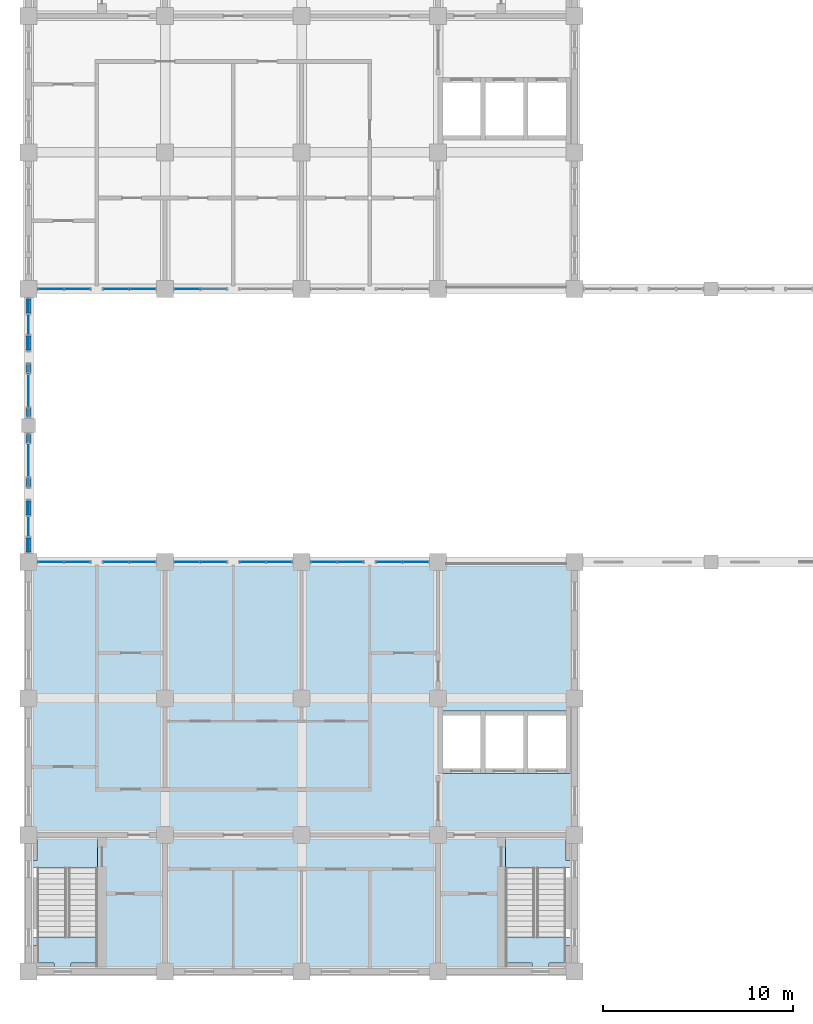
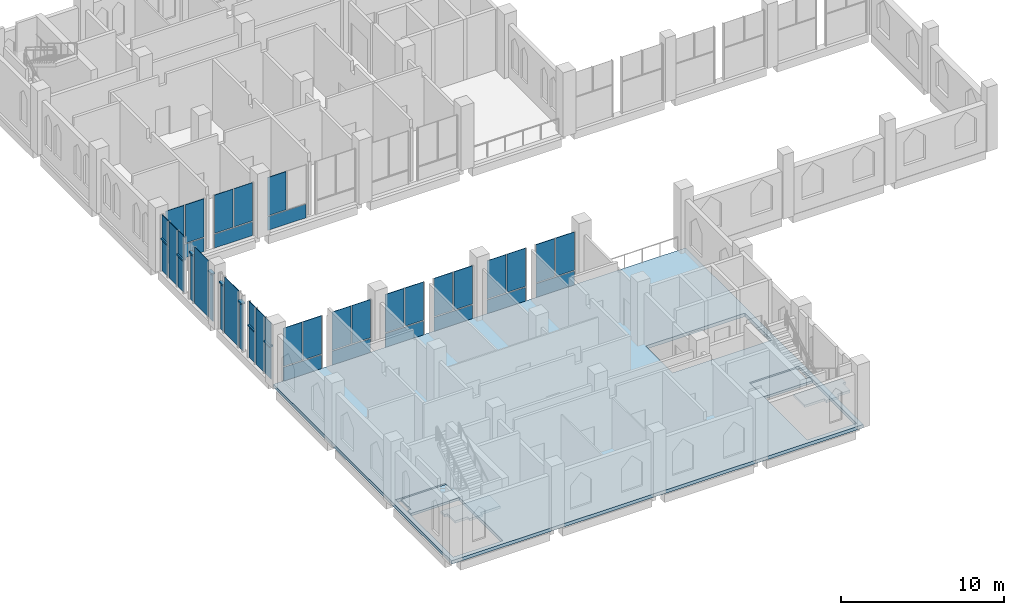
# One storey, part 17 of 30: 42 plates, 8 members, 5 slabs, 15 elements without a shape of their own.
"""IFC4 building model written with IfcOpenShell, lengths in metres."""

from ifc_helpers import new_model, si_unit, direction, frame, origin, origin_2d, place, context, subcontext, project, spatial, polyline, rectangle, hollow_rectangle, outline, extrude, material, layer, layer_set, material_profile, profile_set, type_object, element, aggregate, save


model = new_model("IFC4")

# Units and contexts
model_context = context("Model", 3, precision=1e-05, world=origin(), true_north=direction((0.0, 1.0)))
body_context = subcontext(model_context, "Body", "Model", "MODEL_VIEW")
ifc_project = project(units=[si_unit("LENGTHUNIT", "METRE"), si_unit("AREAUNIT", "SQUARE_METRE"), si_unit("VOLUMEUNIT", "CUBIC_METRE"), si_unit("PLANEANGLEUNIT", "RADIAN"), si_unit("MASSUNIT", "GRAM", prefix="KILO")], contexts=[model_context])

# Site, building, storey
site_placement = place(None, origin())
site = spatial("IfcSite", under=ifc_project, at=site_placement, CompositionType="ELEMENT")
building_placement = place(site_placement, origin())
building = spatial("IfcBuilding", under=site, at=building_placement, Name="Silangan Lancet Faculty of Sciences", CompositionType="ELEMENT")
storey_placement = place(building_placement, frame((0.0, 0.0, 31.199951171875)))
storey = spatial("IfcBuildingStorey", under=building, at=storey_placement, Name="L06", CompositionType="ELEMENT", Elevation=31.199951171875)

# Curtain wall, members
ifc_material_1 = material(Name="Aluminium framed curtain wall with insulated glass", Category="aluminium")
curtain_wall_type_1 = type_object("IfcCurtainWallType", Name="CW3 West stepped lancet window", PredefinedType="NOTDEFINED", material=ifc_material_1)
curtain_wall_1_placement = place(storey_placement, origin())
curtain_wall_1 = element("IfcCurtainWall", 1, at=curtain_wall_1_placement, inside=storey, type_object=curtain_wall_type_1, Name="CW3 West window L06 bay 1", PredefinedType="NOTDEFINED")
ifc_material_2 = material(Name="Aluminium 6063-T6 extrusion", Category="aluminium")
ifc_material_profile = material_profile(ifc_material_2, hollow_rectangle(XDim=0.25, YDim=0.10009765625, WallThickness=0.0048828125, at=origin_2d()), Name="AL BOX 250x100x5")
ifc_profile_set = profile_set([ifc_material_profile], Name="Aluminium 6063-T6 extrusion")
member_type = type_object("IfcMemberType", Name="CT3 Transom 250x100", PredefinedType="USERDEFINED", material=ifc_profile_set)
member_1_placement = place(storey_placement, frame((0.0, 22.125, 2.449951171875), z_axis=(0.0, 1.0, 0.0), x_axis=(-1.0, 0.0, 0.0)))
member_1 = element("IfcMember", 2, at=member_1_placement, type_object=member_type, Name="CW3 West window L06 bay 1 transom 1", ObjectType="TRANSOM", PredefinedType="USERDEFINED", context=body_context, shape_type="SweptSolid", body=[
    extrude(hollow_rectangle(XDim=0.25, YDim=0.10009765625, WallThickness=0.0048828125, at=origin_2d()), origin(), (0.0, 0.0, 1.0), 0.75),
])
member_2_placement = place(storey_placement, frame((0.0, 24.074951171875, 2.449951171875), z_axis=(0.0, 1.0, 0.0), x_axis=(-1.0, 0.0, 0.0)))
member_2 = element("IfcMember", 3, at=member_2_placement, type_object=member_type, Name="CW3 West window L06 bay 1 transom 2", ObjectType="TRANSOM", PredefinedType="USERDEFINED", context=body_context, shape_type="SweptSolid", body=[
    extrude(hollow_rectangle(XDim=0.25, YDim=0.10009765625, WallThickness=0.0048828125, at=origin_2d()), origin(), (0.0, 0.0, 1.0), 0.75),
])

ifc_material_3 = material(Name="Aluminium framed curtain wall with insulated glass", Category="aluminium")
curtain_wall_type_2 = type_object("IfcCurtainWallType", Name="CW6 West window middle bays", PredefinedType="NOTDEFINED", material=ifc_material_3)
curtain_wall_2_placement = place(storey_placement, origin())
curtain_wall_2 = element("IfcCurtainWall", 4, at=curtain_wall_2_placement, inside=storey, type_object=curtain_wall_type_2, Name="CW6 West window L06 bay 2", PredefinedType="NOTDEFINED")
member_3_placement = place(storey_placement, frame((0.0, 25.574951171875, 3.550048828125), z_axis=(0.0, 1.0, 0.0), x_axis=(-1.0, 0.0, 0.0)))
member_3 = element("IfcMember", 5, at=member_3_placement, type_object=member_type, Name="CW6 West window L06 bay 2 transom 1", ObjectType="TRANSOM", PredefinedType="USERDEFINED", context=body_context, shape_type="SweptSolid", body=[
    extrude(hollow_rectangle(XDim=0.25, YDim=0.10009765625, WallThickness=0.0048828125, at=origin_2d()), origin(), (0.0, 0.0, 1.0), 0.449951171875),
])
member_4_placement = place(storey_placement, frame((0.0, 27.89990234375, 3.550048828125), z_axis=(0.0, 1.0, 0.0), x_axis=(-1.0, 0.0, 0.0)))
member_4 = element("IfcMember", 6, at=member_4_placement, type_object=member_type, Name="CW6 West window L06 bay 2 transom 2", ObjectType="TRANSOM", PredefinedType="USERDEFINED", context=body_context, shape_type="SweptSolid", body=[
    extrude(hollow_rectangle(XDim=0.25, YDim=0.10009765625, WallThickness=0.0048828125, at=origin_2d()), origin(), (0.0, 0.0, 1.0), 0.4501953125),
])

curtain_wall_3_placement = place(storey_placement, origin())
curtain_wall_3 = element("IfcCurtainWall", 7, at=curtain_wall_3_placement, inside=storey, type_object=curtain_wall_type_2, Name="CW6 West window L06 bay 3", PredefinedType="NOTDEFINED")
member_5_placement = place(storey_placement, frame((0.0, 29.25, 3.550048828125), z_axis=(0.0, 1.0, 0.0), x_axis=(-1.0, 0.0, 0.0)))
member_5 = element("IfcMember", 8, at=member_5_placement, type_object=member_type, Name="CW6 West window L06 bay 3 transom 1", ObjectType="TRANSOM", PredefinedType="USERDEFINED", context=body_context, shape_type="SweptSolid", body=[
    extrude(hollow_rectangle(XDim=0.25, YDim=0.10009765625, WallThickness=0.0048828125, at=origin_2d()), origin(), (0.0, 0.0, 1.0), 0.449951171875),
])
member_6_placement = place(storey_placement, frame((0.0, 31.574951171875, 3.550048828125), z_axis=(0.0, 1.0, 0.0), x_axis=(-1.0, 0.0, 0.0)))
member_6 = element("IfcMember", 9, at=member_6_placement, type_object=member_type, Name="CW6 West window L06 bay 3 transom 2", ObjectType="TRANSOM", PredefinedType="USERDEFINED", context=body_context, shape_type="SweptSolid", body=[
    extrude(hollow_rectangle(XDim=0.25, YDim=0.10009765625, WallThickness=0.0048828125, at=origin_2d()), origin(), (0.0, 0.0, 1.0), 0.449951171875),
])

curtain_wall_4_placement = place(storey_placement, origin())
curtain_wall_4 = element("IfcCurtainWall", 10, at=curtain_wall_4_placement, inside=storey, type_object=curtain_wall_type_1, Name="CW3 West window L06 bay 4", PredefinedType="NOTDEFINED")
member_7_placement = place(storey_placement, frame((0.0, 32.77490234375, 2.449951171875), z_axis=(0.0, 1.0, 0.0), x_axis=(-1.0, 0.0, 0.0)))
member_7 = element("IfcMember", 11, at=member_7_placement, type_object=member_type, Name="CW3 West window L06 bay 4 transom 1", ObjectType="TRANSOM", PredefinedType="USERDEFINED", context=body_context, shape_type="SweptSolid", body=[
    extrude(hollow_rectangle(XDim=0.25, YDim=0.10009765625, WallThickness=0.0048828125, at=origin_2d()), origin(), (0.0, 0.0, 1.0), 0.75),
])
member_8_placement = place(storey_placement, frame((0.0, 34.72509765625, 2.449951171875), z_axis=(0.0, 1.0, 0.0), x_axis=(-1.0, 0.0, 0.0)))
member_8 = element("IfcMember", 12, at=member_8_placement, type_object=member_type, Name="CW3 West window L06 bay 4 transom 2", ObjectType="TRANSOM", PredefinedType="USERDEFINED", context=body_context, shape_type="SweptSolid", body=[
    extrude(hollow_rectangle(XDim=0.25, YDim=0.10009765625, WallThickness=0.0048828125, at=origin_2d()), origin(), (0.0, 0.0, 1.0), 0.75),
])

# Plate
ifc_material_4 = material(Name="Insulated glass unit 8+16+8 low-emissivity", Category="glass")
ifc_layer_1 = layer(ifc_material_4, 0.031982421875)
ifc_layer_set_1 = layer_set([ifc_layer_1], Name="Insulated glass unit 8+16+8 low-emissivity")
plate_type_1 = type_object("IfcPlateType", Name="CP1 Panel vision glass 32", PredefinedType="CURTAIN_PANEL", material=ifc_layer_set_1)
plate_1_placement = place(storey_placement, frame((0.0, 22.5, 2.5), z_axis=(0.0, 0.0, 1.0), x_axis=(0.0, 1.0, 0.0)))
plate_1 = element("IfcPlate", 13, at=plate_1_placement, type_object=plate_type_1, Name="CW3 West window L06 bay 1 panel 3", PredefinedType="CURTAIN_PANEL", context=body_context, shape_type="SweptSolid", body=[
    extrude(rectangle(XDim=0.75, YDim=0.031982421875, at=origin_2d()), origin(), (0.0, 0.0, 1.0), 1.699951171875),
])

plate_2_placement = place(storey_placement, frame((0.0, 24.449951171875, 2.5), z_axis=(0.0, 0.0, 1.0), x_axis=(0.0, 1.0, 0.0)))
plate_2 = element("IfcPlate", 14, at=plate_2_placement, type_object=plate_type_1, Name="CW3 West window L06 bay 1 panel 4", PredefinedType="CURTAIN_PANEL", context=body_context, shape_type="SweptSolid", body=[
    extrude(rectangle(XDim=0.75, YDim=0.031982421875, at=origin_2d()), origin(), (0.0, 0.0, 1.0), 1.699951171875),
])

plate_3_placement = place(storey_placement, frame((0.0, 33.14990234375, 2.5), z_axis=(0.0, 0.0, 1.0), x_axis=(0.0, 1.0, 0.0)))
plate_3 = element("IfcPlate", 15, at=plate_3_placement, type_object=plate_type_1, Name="CW3 West window L06 bay 4 panel 3", PredefinedType="CURTAIN_PANEL", context=body_context, shape_type="SweptSolid", body=[
    extrude(rectangle(XDim=0.75, YDim=0.031982421875, at=origin_2d()), origin(), (0.0, 0.0, 1.0), 1.699951171875),
])

plate_4_placement = place(storey_placement, frame((0.0, 35.10009765625, 2.5), z_axis=(0.0, 0.0, 1.0), x_axis=(0.0, 1.0, 0.0)))
plate_4 = element("IfcPlate", 16, at=plate_4_placement, type_object=plate_type_1, Name="CW3 West window L06 bay 4 panel 4", PredefinedType="CURTAIN_PANEL", context=body_context, shape_type="SweptSolid", body=[
    extrude(rectangle(XDim=0.75, YDim=0.031982421875, at=origin_2d()), origin(), (0.0, 0.0, 1.0), 1.699951171875),
])

ifc_material_5 = material(Name="Laminated insulated glass unit 10.76+14+8", Category="glass")
ifc_layer_2 = layer(ifc_material_5, 0.035888671875)
ifc_layer_set_2 = layer_set([ifc_layer_2], Name="Laminated insulated glass unit 10.76+14+8")
plate_type_2 = type_object("IfcPlateType", Name="CP2 Panel laminated glass 36", PredefinedType="CURTAIN_PANEL", material=ifc_layer_set_2)
plate_5_placement = place(storey_placement, frame((0.0, 22.5, 0.0), z_axis=(0.0, 0.0, 1.0), x_axis=(0.0, 1.0, 0.0)))
plate_5 = element("IfcPlate", 17, at=plate_5_placement, type_object=plate_type_2, Name="CW3 West window L06 bay 1 panel 1", PredefinedType="CURTAIN_PANEL", context=body_context, shape_type="SweptSolid", body=[
    extrude(rectangle(XDim=0.75, YDim=0.035888671875, at=origin_2d()), origin(), (0.0, 0.0, 1.0), 2.39990234375),
])

plate_6_placement = place(storey_placement, frame((0.0, 24.449951171875, 0.0), z_axis=(0.0, 0.0, 1.0), x_axis=(0.0, 1.0, 0.0)))
plate_6 = element("IfcPlate", 18, at=plate_6_placement, type_object=plate_type_2, Name="CW3 West window L06 bay 1 panel 2", PredefinedType="CURTAIN_PANEL", context=body_context, shape_type="SweptSolid", body=[
    extrude(rectangle(XDim=0.75, YDim=0.035888671875, at=origin_2d()), origin(), (0.0, 0.0, 1.0), 2.39990234375),
])

plate_7_placement = place(storey_placement, frame((0.0, 23.47509765625, 0.0), z_axis=(0.0, 0.0, 1.0), x_axis=(0.0, 1.0, 0.0)))
plate_7 = element("IfcPlate", 19, at=plate_7_placement, type_object=plate_type_2, Name="CW3 West window L06 bay 1 panel 5", PredefinedType="CURTAIN_PANEL", context=body_context, shape_type="SweptSolid", body=[
    extrude(rectangle(XDim=1.050048828125, YDim=0.035888671875, at=origin_2d()), origin(), (0.0, 0.0, 1.0), 4.199951171875),
])

aggregate(curtain_wall_1, [member_1, member_2, plate_5, plate_6, plate_1, plate_2, plate_7])

plate_8_placement = place(storey_placement, frame((0.0, 25.800048828125, 0.0), z_axis=(0.0, 0.0, 1.0), x_axis=(0.0, 1.0, 0.0)))
plate_8 = element("IfcPlate", 20, at=plate_8_placement, type_object=plate_type_2, Name="CW6 West window L06 bay 2 panel 1", PredefinedType="CURTAIN_PANEL", context=body_context, shape_type="SweptSolid", body=[
    extrude(rectangle(XDim=0.449951171875, YDim=0.035888671875, at=origin_2d()), origin(), (0.0, 0.0, 1.0), 3.5),
])

plate_9_placement = place(storey_placement, frame((0.0, 28.125, 0.0), z_axis=(0.0, 0.0, 1.0), x_axis=(0.0, 1.0, 0.0)))
plate_9 = element("IfcPlate", 21, at=plate_9_placement, type_object=plate_type_2, Name="CW6 West window L06 bay 2 panel 2", PredefinedType="CURTAIN_PANEL", context=body_context, shape_type="SweptSolid", body=[
    extrude(rectangle(XDim=0.449951171875, YDim=0.035888671875, at=origin_2d()), origin(), (0.0, 0.0, 1.0), 3.5),
])

plate_10_placement = place(storey_placement, frame((0.0, 26.96240234375, 0.0), z_axis=(0.0, 0.0, 1.0), x_axis=(0.0, 1.0, 0.0)))
plate_10 = element("IfcPlate", 22, at=plate_10_placement, type_object=plate_type_2, Name="CW6 West window L06 bay 2 panel 5", PredefinedType="CURTAIN_PANEL", context=body_context, shape_type="SweptSolid", body=[
    extrude(rectangle(XDim=1.72509765625, YDim=0.035888671875, at=origin_2d()), origin(), (0.0, 0.0, 1.0), 4.199951171875),
])

aggregate(curtain_wall_2, [member_3, member_4, plate_8, plate_9, plate_10])

plate_11_placement = place(storey_placement, frame((0.0, 29.47509765625, 0.0), z_axis=(0.0, 0.0, 1.0), x_axis=(0.0, 1.0, 0.0)))
plate_11 = element("IfcPlate", 23, at=plate_11_placement, type_object=plate_type_2, Name="CW6 West window L06 bay 3 panel 1", PredefinedType="CURTAIN_PANEL", context=body_context, shape_type="SweptSolid", body=[
    extrude(rectangle(XDim=0.449951171875, YDim=0.035888671875, at=origin_2d()), origin(), (0.0, 0.0, 1.0), 3.5),
])

plate_12_placement = place(storey_placement, frame((0.0, 31.7998046875, 0.0), z_axis=(0.0, 0.0, 1.0), x_axis=(0.0, 1.0, 0.0)))
plate_12 = element("IfcPlate", 24, at=plate_12_placement, type_object=plate_type_2, Name="CW6 West window L06 bay 3 panel 2", PredefinedType="CURTAIN_PANEL", context=body_context, shape_type="SweptSolid", body=[
    extrude(rectangle(XDim=0.449951171875, YDim=0.035888671875, at=origin_2d()), origin(), (0.0, 0.0, 1.0), 3.5),
])

plate_13_placement = place(storey_placement, frame((0.0, 30.637451171875, 0.0), z_axis=(0.0, 0.0, 1.0), x_axis=(0.0, 1.0, 0.0)))
plate_13 = element("IfcPlate", 25, at=plate_13_placement, type_object=plate_type_2, Name="CW6 West window L06 bay 3 panel 5", PredefinedType="CURTAIN_PANEL", context=body_context, shape_type="SweptSolid", body=[
    extrude(rectangle(XDim=1.724853515625, YDim=0.035888671875, at=origin_2d()), origin(), (0.0, 0.0, 1.0), 4.199951171875),
])

aggregate(curtain_wall_3, [member_5, member_6, plate_11, plate_12, plate_13])

plate_14_placement = place(storey_placement, frame((0.0, 33.14990234375, 0.0), z_axis=(0.0, 0.0, 1.0), x_axis=(0.0, 1.0, 0.0)))
plate_14 = element("IfcPlate", 26, at=plate_14_placement, type_object=plate_type_2, Name="CW3 West window L06 bay 4 panel 1", PredefinedType="CURTAIN_PANEL", context=body_context, shape_type="SweptSolid", body=[
    extrude(rectangle(XDim=0.75, YDim=0.035888671875, at=origin_2d()), origin(), (0.0, 0.0, 1.0), 2.39990234375),
])

plate_15_placement = place(storey_placement, frame((0.0, 35.10009765625, 0.0), z_axis=(0.0, 0.0, 1.0), x_axis=(0.0, 1.0, 0.0)))
plate_15 = element("IfcPlate", 27, at=plate_15_placement, type_object=plate_type_2, Name="CW3 West window L06 bay 4 panel 2", PredefinedType="CURTAIN_PANEL", context=body_context, shape_type="SweptSolid", body=[
    extrude(rectangle(XDim=0.75, YDim=0.035888671875, at=origin_2d()), origin(), (0.0, 0.0, 1.0), 2.39990234375),
])

plate_16_placement = place(storey_placement, frame((0.0, 34.125, 0.0), z_axis=(0.0, 0.0, 1.0), x_axis=(0.0, 1.0, 0.0)))
plate_16 = element("IfcPlate", 28, at=plate_16_placement, type_object=plate_type_2, Name="CW3 West window L06 bay 4 panel 5", PredefinedType="CURTAIN_PANEL", context=body_context, shape_type="SweptSolid", body=[
    extrude(rectangle(XDim=1.050048828125, YDim=0.035888671875, at=origin_2d()), origin(), (0.0, 0.0, 1.0), 4.199951171875),
])

aggregate(curtain_wall_4, [member_7, member_8, plate_14, plate_15, plate_3, plate_4, plate_16])

# Curtain wall, plates
ifc_material_6 = material(Name="Aluminium framed curtain wall with insulated glass", Category="aluminium")
curtain_wall_type_3 = type_object("IfcCurtainWallType", Name="CW2 Atrium fire-resisting screen", PredefinedType="NOTDEFINED", material=ifc_material_6)
curtain_wall_5_placement = place(storey_placement, origin())
curtain_wall_5 = element("IfcCurtainWall", 29, at=curtain_wall_5_placement, inside=storey, type_object=curtain_wall_type_3, Name="CW2 Atrium south L06 bay 1", PredefinedType="NOTDEFINED")
ifc_material_7 = material(Name="Fire-resisting glass unit 40 mm, integrity E", Category="glass")
ifc_layer_3 = layer(ifc_material_7, 0.0400390625)
ifc_layer_set_3 = layer_set([ifc_layer_3], Name="Fire-resisting glass unit 40 mm, integrity E")
plate_type_3 = type_object("IfcPlateType", Name="CP3 Panel fire-resisting glass 40", PredefinedType="CURTAIN_PANEL", material=ifc_layer_set_3)
plate_17_placement = place(storey_placement, frame((19.72509765625, 21.60009765625, 0.0), z_axis=(0.0, 0.0, 1.0), x_axis=(-1.0, 0.0, 0.0)))
plate_17 = element("IfcPlate", 30, at=plate_17_placement, type_object=plate_type_3, Name="CW2 Atrium south L06 bay 1 panel 1", PredefinedType="CURTAIN_PANEL", context=body_context, shape_type="SweptSolid", body=[
    extrude(rectangle(XDim=2.699951171875, YDim=0.0400390625, at=origin_2d()), origin(), (0.0, 0.0, 1.0), 1.02490234375),
])
plate_18_placement = place(storey_placement, frame((20.418701171875, 21.60009765625, 1.10009765625), z_axis=(0.0, 0.0, 1.0), x_axis=(-1.0, 0.0, 0.0)))
plate_18 = element("IfcPlate", 31, at=plate_18_placement, type_object=plate_type_3, Name="CW2 Atrium south L06 bay 1 panel 2", PredefinedType="CURTAIN_PANEL", context=body_context, shape_type="SweptSolid", body=[
    extrude(rectangle(XDim=1.3125, YDim=0.0400390625, at=origin_2d()), origin(), (0.0, 0.0, 1.0), 2.85009765625),
])
plate_19_placement = place(storey_placement, frame((19.03125, 21.60009765625, 1.10009765625), z_axis=(0.0, 0.0, 1.0), x_axis=(-1.0, 0.0, 0.0)))
plate_19 = element("IfcPlate", 32, at=plate_19_placement, type_object=plate_type_3, Name="CW2 Atrium south L06 bay 1 panel 3", PredefinedType="CURTAIN_PANEL", context=body_context, shape_type="SweptSolid", body=[
    extrude(rectangle(XDim=1.3125, YDim=0.0400390625, at=origin_2d()), origin(), (0.0, 0.0, 1.0), 2.85009765625),
])
aggregate(curtain_wall_5, [plate_17, plate_18, plate_19])

curtain_wall_6_placement = place(storey_placement, origin())
curtain_wall_6 = element("IfcCurtainWall", 33, at=curtain_wall_6_placement, inside=storey, type_object=curtain_wall_type_3, Name="CW2 Atrium south L06 bay 2", PredefinedType="NOTDEFINED")
plate_20_placement = place(storey_placement, frame((16.27490234375, 21.60009765625, 0.0), z_axis=(0.0, 0.0, 1.0), x_axis=(-1.0, 0.0, 0.0)))
plate_20 = element("IfcPlate", 34, at=plate_20_placement, type_object=plate_type_3, Name="CW2 Atrium south L06 bay 2 panel 1", PredefinedType="CURTAIN_PANEL", context=body_context, shape_type="SweptSolid", body=[
    extrude(rectangle(XDim=2.699951171875, YDim=0.0400390625, at=origin_2d()), origin(), (0.0, 0.0, 1.0), 1.02490234375),
])
plate_21_placement = place(storey_placement, frame((16.96875, 21.60009765625, 1.10009765625), z_axis=(0.0, 0.0, 1.0), x_axis=(-1.0, 0.0, 0.0)))
plate_21 = element("IfcPlate", 35, at=plate_21_placement, type_object=plate_type_3, Name="CW2 Atrium south L06 bay 2 panel 2", PredefinedType="CURTAIN_PANEL", context=body_context, shape_type="SweptSolid", body=[
    extrude(rectangle(XDim=1.3125, YDim=0.0400390625, at=origin_2d()), origin(), (0.0, 0.0, 1.0), 2.85009765625),
])
plate_22_placement = place(storey_placement, frame((15.581298828125, 21.60009765625, 1.10009765625), z_axis=(0.0, 0.0, 1.0), x_axis=(-1.0, 0.0, 0.0)))
plate_22 = element("IfcPlate", 36, at=plate_22_placement, type_object=plate_type_3, Name="CW2 Atrium south L06 bay 2 panel 3", PredefinedType="CURTAIN_PANEL", context=body_context, shape_type="SweptSolid", body=[
    extrude(rectangle(XDim=1.3125, YDim=0.0400390625, at=origin_2d()), origin(), (0.0, 0.0, 1.0), 2.85009765625),
])
aggregate(curtain_wall_6, [plate_20, plate_21, plate_22])

curtain_wall_7_placement = place(storey_placement, origin())
curtain_wall_7 = element("IfcCurtainWall", 37, at=curtain_wall_7_placement, inside=storey, type_object=curtain_wall_type_3, Name="CW2 Atrium south L06 bay 3", PredefinedType="NOTDEFINED")
plate_23_placement = place(storey_placement, frame((12.52490234375, 21.60009765625, 0.0), z_axis=(0.0, 0.0, 1.0), x_axis=(-1.0, 0.0, 0.0)))
plate_23 = element("IfcPlate", 38, at=plate_23_placement, type_object=plate_type_3, Name="CW2 Atrium south L06 bay 3 panel 1", PredefinedType="CURTAIN_PANEL", context=body_context, shape_type="SweptSolid", body=[
    extrude(rectangle(XDim=2.699951171875, YDim=0.0400390625, at=origin_2d()), origin(), (0.0, 0.0, 1.0), 1.02490234375),
])
plate_24_placement = place(storey_placement, frame((13.21875, 21.60009765625, 1.10009765625), z_axis=(0.0, 0.0, 1.0), x_axis=(-1.0, 0.0, 0.0)))
plate_24 = element("IfcPlate", 39, at=plate_24_placement, type_object=plate_type_3, Name="CW2 Atrium south L06 bay 3 panel 2", PredefinedType="CURTAIN_PANEL", context=body_context, shape_type="SweptSolid", body=[
    extrude(rectangle(XDim=1.3125, YDim=0.0400390625, at=origin_2d()), origin(), (0.0, 0.0, 1.0), 2.85009765625),
])
plate_25_placement = place(storey_placement, frame((11.831298828125, 21.60009765625, 1.10009765625), z_axis=(0.0, 0.0, 1.0), x_axis=(-1.0, 0.0, 0.0)))
plate_25 = element("IfcPlate", 40, at=plate_25_placement, type_object=plate_type_3, Name="CW2 Atrium south L06 bay 3 panel 3", PredefinedType="CURTAIN_PANEL", context=body_context, shape_type="SweptSolid", body=[
    extrude(rectangle(XDim=1.3125, YDim=0.0400390625, at=origin_2d()), origin(), (0.0, 0.0, 1.0), 2.85009765625),
])
aggregate(curtain_wall_7, [plate_23, plate_24, plate_25])

curtain_wall_8_placement = place(storey_placement, origin())
curtain_wall_8 = element("IfcCurtainWall", 41, at=curtain_wall_8_placement, inside=storey, type_object=curtain_wall_type_3, Name="CW2 Atrium south L06 bay 4", PredefinedType="NOTDEFINED")
plate_26_placement = place(storey_placement, frame((9.074951171875, 21.60009765625, 0.0), z_axis=(0.0, 0.0, 1.0), x_axis=(-1.0, 0.0, 0.0)))
plate_26 = element("IfcPlate", 42, at=plate_26_placement, type_object=plate_type_3, Name="CW2 Atrium south L06 bay 4 panel 1", PredefinedType="CURTAIN_PANEL", context=body_context, shape_type="SweptSolid", body=[
    extrude(rectangle(XDim=2.699951171875, YDim=0.0400390625, at=origin_2d()), origin(), (0.0, 0.0, 1.0), 1.02490234375),
])
plate_27_placement = place(storey_placement, frame((9.768798828125, 21.60009765625, 1.10009765625), z_axis=(0.0, 0.0, 1.0), x_axis=(-1.0, 0.0, 0.0)))
plate_27 = element("IfcPlate", 43, at=plate_27_placement, type_object=plate_type_3, Name="CW2 Atrium south L06 bay 4 panel 2", PredefinedType="CURTAIN_PANEL", context=body_context, shape_type="SweptSolid", body=[
    extrude(rectangle(XDim=1.3125, YDim=0.0400390625, at=origin_2d()), origin(), (0.0, 0.0, 1.0), 2.85009765625),
])
plate_28_placement = place(storey_placement, frame((8.38134765625, 21.60009765625, 1.10009765625), z_axis=(0.0, 0.0, 1.0), x_axis=(-1.0, 0.0, 0.0)))
plate_28 = element("IfcPlate", 44, at=plate_28_placement, type_object=plate_type_3, Name="CW2 Atrium south L06 bay 4 panel 3", PredefinedType="CURTAIN_PANEL", context=body_context, shape_type="SweptSolid", body=[
    extrude(rectangle(XDim=1.3125, YDim=0.0400390625, at=origin_2d()), origin(), (0.0, 0.0, 1.0), 2.85009765625),
])
aggregate(curtain_wall_8, [plate_26, plate_27, plate_28])

curtain_wall_9_placement = place(storey_placement, origin())
curtain_wall_9 = element("IfcCurtainWall", 45, at=curtain_wall_9_placement, inside=storey, type_object=curtain_wall_type_3, Name="CW2 Atrium south L06 bay 5", PredefinedType="NOTDEFINED")
plate_29_placement = place(storey_placement, frame((5.324951171875, 21.60009765625, 0.0), z_axis=(0.0, 0.0, 1.0), x_axis=(-1.0, 0.0, 0.0)))
plate_29 = element("IfcPlate", 46, at=plate_29_placement, type_object=plate_type_3, Name="CW2 Atrium south L06 bay 5 panel 1", PredefinedType="CURTAIN_PANEL", context=body_context, shape_type="SweptSolid", body=[
    extrude(rectangle(XDim=2.699951171875, YDim=0.0400390625, at=origin_2d()), origin(), (0.0, 0.0, 1.0), 1.02490234375),
])
plate_30_placement = place(storey_placement, frame((6.018798828125, 21.60009765625, 1.10009765625), z_axis=(0.0, 0.0, 1.0), x_axis=(-1.0, 0.0, 0.0)))
plate_30 = element("IfcPlate", 47, at=plate_30_placement, type_object=plate_type_3, Name="CW2 Atrium south L06 bay 5 panel 2", PredefinedType="CURTAIN_PANEL", context=body_context, shape_type="SweptSolid", body=[
    extrude(rectangle(XDim=1.3125, YDim=0.0400390625, at=origin_2d()), origin(), (0.0, 0.0, 1.0), 2.85009765625),
])
plate_31_placement = place(storey_placement, frame((4.63134765625, 21.60009765625, 1.10009765625), z_axis=(0.0, 0.0, 1.0), x_axis=(-1.0, 0.0, 0.0)))
plate_31 = element("IfcPlate", 48, at=plate_31_placement, type_object=plate_type_3, Name="CW2 Atrium south L06 bay 5 panel 3", PredefinedType="CURTAIN_PANEL", context=body_context, shape_type="SweptSolid", body=[
    extrude(rectangle(XDim=1.3125, YDim=0.0400390625, at=origin_2d()), origin(), (0.0, 0.0, 1.0), 2.85009765625),
])
aggregate(curtain_wall_9, [plate_29, plate_30, plate_31])

curtain_wall_10_placement = place(storey_placement, origin())
curtain_wall_10 = element("IfcCurtainWall", 49, at=curtain_wall_10_placement, inside=storey, type_object=curtain_wall_type_3, Name="CW2 Atrium south L06 bay 6", PredefinedType="NOTDEFINED")
plate_32_placement = place(storey_placement, frame((1.875, 21.60009765625, 0.0), z_axis=(0.0, 0.0, 1.0), x_axis=(-1.0, 0.0, 0.0)))
plate_32 = element("IfcPlate", 50, at=plate_32_placement, type_object=plate_type_3, Name="CW2 Atrium south L06 bay 6 panel 1", PredefinedType="CURTAIN_PANEL", context=body_context, shape_type="SweptSolid", body=[
    extrude(rectangle(XDim=2.7001953125, YDim=0.0400390625, at=origin_2d()), origin(), (0.0, 0.0, 1.0), 1.02490234375),
])
plate_33_placement = place(storey_placement, frame((2.56884765625, 21.60009765625, 1.10009765625), z_axis=(0.0, 0.0, 1.0), x_axis=(-1.0, 0.0, 0.0)))
plate_33 = element("IfcPlate", 51, at=plate_33_placement, type_object=plate_type_3, Name="CW2 Atrium south L06 bay 6 panel 2", PredefinedType="CURTAIN_PANEL", context=body_context, shape_type="SweptSolid", body=[
    extrude(rectangle(XDim=1.3125, YDim=0.0400390625, at=origin_2d()), origin(), (0.0, 0.0, 1.0), 2.85009765625),
])
plate_34_placement = place(storey_placement, frame((1.181396484375, 21.60009765625, 1.10009765625), z_axis=(0.0, 0.0, 1.0), x_axis=(-1.0, 0.0, 0.0)))
plate_34 = element("IfcPlate", 52, at=plate_34_placement, type_object=plate_type_3, Name="CW2 Atrium south L06 bay 6 panel 3", PredefinedType="CURTAIN_PANEL", context=body_context, shape_type="SweptSolid", body=[
    extrude(rectangle(XDim=1.3125, YDim=0.0400390625, at=origin_2d()), origin(), (0.0, 0.0, 1.0), 2.85009765625),
])
aggregate(curtain_wall_10, [plate_32, plate_33, plate_34])

curtain_wall_11_placement = place(storey_placement, origin())
curtain_wall_11 = element("IfcCurtainWall", 53, at=curtain_wall_11_placement, inside=storey, type_object=curtain_wall_type_3, Name="CW2 Atrium north L06 bay 1", PredefinedType="NOTDEFINED")
plate_35_placement = place(storey_placement, frame((1.875, 36.0, 0.0), z_axis=(0.0, 0.0, 1.0), x_axis=(1.0, 0.0, 0.0)))
plate_35 = element("IfcPlate", 54, at=plate_35_placement, type_object=plate_type_3, Name="CW2 Atrium north L06 bay 1 panel 1", PredefinedType="CURTAIN_PANEL", context=body_context, shape_type="SweptSolid", body=[
    extrude(rectangle(XDim=2.7001953125, YDim=0.0400390625, at=origin_2d()), origin(), (0.0, 0.0, 1.0), 1.02490234375),
])
plate_36_placement = place(storey_placement, frame((1.181396484375, 36.0, 1.10009765625), z_axis=(0.0, 0.0, 1.0), x_axis=(1.0, 0.0, 0.0)))
plate_36 = element("IfcPlate", 55, at=plate_36_placement, type_object=plate_type_3, Name="CW2 Atrium north L06 bay 1 panel 2", PredefinedType="CURTAIN_PANEL", context=body_context, shape_type="SweptSolid", body=[
    extrude(rectangle(XDim=1.3125, YDim=0.0400390625, at=origin_2d()), origin(), (0.0, 0.0, 1.0), 2.85009765625),
])
plate_37_placement = place(storey_placement, frame((2.56884765625, 36.0, 1.10009765625), z_axis=(0.0, 0.0, 1.0), x_axis=(1.0, 0.0, 0.0)))
plate_37 = element("IfcPlate", 56, at=plate_37_placement, type_object=plate_type_3, Name="CW2 Atrium north L06 bay 1 panel 3", PredefinedType="CURTAIN_PANEL", context=body_context, shape_type="SweptSolid", body=[
    extrude(rectangle(XDim=1.3125, YDim=0.0400390625, at=origin_2d()), origin(), (0.0, 0.0, 1.0), 2.85009765625),
])
aggregate(curtain_wall_11, [plate_35, plate_36, plate_37])

curtain_wall_12_placement = place(storey_placement, origin())
curtain_wall_12 = element("IfcCurtainWall", 57, at=curtain_wall_12_placement, inside=storey, type_object=curtain_wall_type_3, Name="CW2 Atrium north L06 bay 2", PredefinedType="NOTDEFINED")
plate_38_placement = place(storey_placement, frame((5.324951171875, 36.0, 0.0), z_axis=(0.0, 0.0, 1.0), x_axis=(1.0, 0.0, 0.0)))
plate_38 = element("IfcPlate", 58, at=plate_38_placement, type_object=plate_type_3, Name="CW2 Atrium north L06 bay 2 panel 1", PredefinedType="CURTAIN_PANEL", context=body_context, shape_type="SweptSolid", body=[
    extrude(rectangle(XDim=2.699951171875, YDim=0.0400390625, at=origin_2d()), origin(), (0.0, 0.0, 1.0), 1.02490234375),
])
plate_39_placement = place(storey_placement, frame((4.63134765625, 36.0, 1.10009765625), z_axis=(0.0, 0.0, 1.0), x_axis=(1.0, 0.0, 0.0)))
plate_39 = element("IfcPlate", 59, at=plate_39_placement, type_object=plate_type_3, Name="CW2 Atrium north L06 bay 2 panel 2", PredefinedType="CURTAIN_PANEL", context=body_context, shape_type="SweptSolid", body=[
    extrude(rectangle(XDim=1.3125, YDim=0.0400390625, at=origin_2d()), origin(), (0.0, 0.0, 1.0), 2.85009765625),
])
plate_40_placement = place(storey_placement, frame((6.018798828125, 36.0, 1.10009765625), z_axis=(0.0, 0.0, 1.0), x_axis=(1.0, 0.0, 0.0)))
plate_40 = element("IfcPlate", 60, at=plate_40_placement, type_object=plate_type_3, Name="CW2 Atrium north L06 bay 2 panel 3", PredefinedType="CURTAIN_PANEL", context=body_context, shape_type="SweptSolid", body=[
    extrude(rectangle(XDim=1.3125, YDim=0.0400390625, at=origin_2d()), origin(), (0.0, 0.0, 1.0), 2.85009765625),
])
aggregate(curtain_wall_12, [plate_38, plate_39, plate_40])

curtain_wall_13_placement = place(storey_placement, origin())
curtain_wall_13 = element("IfcCurtainWall", 61, at=curtain_wall_13_placement, inside=storey, type_object=curtain_wall_type_3, Name="CW2 Atrium north L06 bay 3", PredefinedType="NOTDEFINED")
plate_41_placement = place(storey_placement, frame((9.074951171875, 36.0, 0.0), z_axis=(0.0, 0.0, 1.0), x_axis=(1.0, 0.0, 0.0)))
plate_41 = element("IfcPlate", 62, at=plate_41_placement, type_object=plate_type_3, Name="CW2 Atrium north L06 bay 3 panel 1", PredefinedType="CURTAIN_PANEL", context=body_context, shape_type="SweptSolid", body=[
    extrude(rectangle(XDim=2.699951171875, YDim=0.0400390625, at=origin_2d()), origin(), (0.0, 0.0, 1.0), 1.02490234375),
])
plate_42_placement = place(storey_placement, frame((8.38134765625, 36.0, 1.10009765625), z_axis=(0.0, 0.0, 1.0), x_axis=(1.0, 0.0, 0.0)))
plate_42 = element("IfcPlate", 63, at=plate_42_placement, type_object=plate_type_3, Name="CW2 Atrium north L06 bay 3 panel 2", PredefinedType="CURTAIN_PANEL", context=body_context, shape_type="SweptSolid", body=[
    extrude(rectangle(XDim=1.3125, YDim=0.0400390625, at=origin_2d()), origin(), (0.0, 0.0, 1.0), 2.85009765625),
])
aggregate(curtain_wall_13, [plate_41, plate_42])

# Slab
ifc_material_8 = material(Name="Concrete C35/45", Category="concrete")
ifc_layer_4 = layer(ifc_material_8, 0.25)
ifc_layer_set_4 = layer_set([ifc_layer_4], Name="Concrete C35/45")
slab_type_1 = type_object("IfcSlabType", Name="SLAB FLOOR 250", PredefinedType="FLOOR", material=ifc_layer_set_4)
slab_1_placement = place(storey_placement, frame((0.0, 0.0, -0.25)))
element("IfcSlab", 64, at=slab_1_placement, inside=storey, type_object=slab_type_1, Name="SLAB-L06-ST", PredefinedType="FLOOR", context=body_context, shape_type="SweptSolid", body=[
    extrude(outline(polyline([(-0.14990234375, -0.14990234375), (28.949951171875, -0.14990234375), (28.949951171875, 21.60009765625), (-0.14990234375, 21.60009765625), (-0.14990234375, -0.14990234375)]), holes=[polyline([(0.14990234375, 7.199951171875), (3.64990234375, 7.199951171875), (3.64990234375, 0.14990234375), (0.14990234375, 0.14990234375), (0.14990234375, 7.199951171875)]), polyline([(25.14990234375, 0.14990234375), (25.14990234375, 7.199951171875), (28.64990234375, 7.199951171875), (28.64990234375, 0.14990234375), (25.14990234375, 0.14990234375)]), polyline([(21.60009765625, 13.75), (28.60009765625, 13.75), (28.60009765625, 10.449951171875), (21.60009765625, 10.449951171875), (21.60009765625, 13.75)])]), origin(), (0.0, 0.0, 1.0), 0.25),
])

# Stair, slabs
ifc_material_9 = material(Name="Concrete C40/50", Category="concrete")
stair_type = type_object("IfcStairType", Name="TURRET STAIR 1550 TWO-FLIGHT", PredefinedType="HALF_TURN_STAIR", material=ifc_material_9)
stair_1_placement = place(storey_placement, origin())
stair_1 = element("IfcStair", 65, at=stair_1_placement, inside=storey, type_object=stair_type, Name="ST-A stair L06", PredefinedType="HALF_TURN_STAIR")
ifc_material_10 = material(Name="Concrete C40/50", Category="concrete")
ifc_layer_5 = layer(ifc_material_10, 0.179931640625)
ifc_layer_set_5 = layer_set([ifc_layer_5], Name="Concrete C40/50")
slab_type_2 = type_object("IfcSlabType", Name="TURRET STAIR LANDING RC 180", PredefinedType="LANDING", material=ifc_layer_set_5)
slab_2_placement = place(storey_placement, frame((0.0, 0.0, -0.179931640625)))
slab_2 = element("IfcSlab", 66, at=slab_2_placement, type_object=slab_type_2, Name="STR1 landing 1", PredefinedType="LANDING", context=body_context, shape_type="SweptSolid", body=[
    extrude(outline(polyline([(0.22509765625, 5.449951171875), (0.22509765625, 5.85009765625), (0.449951171875, 5.85009765625), (0.449951171875, 7.074951171875), (3.64990234375, 7.074951171875), (3.64990234375, 5.449951171875), (0.22509765625, 5.449951171875)])), origin(), (0.0, 0.0, 1.0), 0.179931640625),
])
slab_3_placement = place(storey_placement, frame((0.0, 0.0, 2.219970703125)))
slab_3 = element("IfcSlab", 67, at=slab_3_placement, type_object=slab_type_2, Name="STR1 landing 2", PredefinedType="LANDING", context=body_context, shape_type="SweptSolid", body=[
    extrude(outline(polyline([(0.22509765625, 1.35009765625), (0.22509765625, 1.81005859375), (3.64990234375, 1.81005859375), (3.64990234375, 0.449951171875), (2.25, 0.449951171875), (2.25, 0.22509765625), (1.35009765625, 0.22509765625), (1.35009765625, 0.449951171875), (0.449951171875, 0.449951171875), (0.449951171875, 1.35009765625), (0.22509765625, 1.35009765625)])), origin(), (0.0, 0.0, 1.0), 0.18017578125),
])
aggregate(stair_1, [slab_2, slab_3])

stair_2_placement = place(storey_placement, origin())
stair_2 = element("IfcStair", 68, at=stair_2_placement, inside=storey, type_object=stair_type, Name="ST-B stair L06", PredefinedType="HALF_TURN_STAIR")
slab_4_placement = place(storey_placement, frame((0.0, 0.0, -0.179931640625)))
slab_4 = element("IfcSlab", 69, at=slab_4_placement, type_object=slab_type_2, Name="STR2 landing 1", PredefinedType="LANDING", context=body_context, shape_type="SweptSolid", body=[
    extrude(outline(polyline([(25.14990234375, 7.074951171875), (28.35009765625, 7.074951171875), (28.35009765625, 5.85009765625), (28.574951171875, 5.85009765625), (28.574951171875, 5.449951171875), (25.14990234375, 5.449951171875), (25.14990234375, 7.074951171875)])), origin(), (0.0, 0.0, 1.0), 0.179931640625),
])
slab_5_placement = place(storey_placement, frame((0.0, 0.0, 2.219970703125)))
slab_5 = element("IfcSlab", 70, at=slab_5_placement, type_object=slab_type_2, Name="STR2 landing 2", PredefinedType="LANDING", context=body_context, shape_type="SweptSolid", body=[
    extrude(outline(polyline([(28.574951171875, 1.35009765625), (28.35009765625, 1.35009765625), (28.35009765625, 0.449951171875), (27.449951171875, 0.449951171875), (27.449951171875, 0.22509765625), (26.550048828125, 0.22509765625), (26.550048828125, 0.449951171875), (25.14990234375, 0.449951171875), (25.14990234375, 1.81005859375), (28.574951171875, 1.81005859375), (28.574951171875, 1.35009765625)])), origin(), (0.0, 0.0, 1.0), 0.18017578125),
])
aggregate(stair_2, [slab_4, slab_5])

save(model, "model.ifc")
